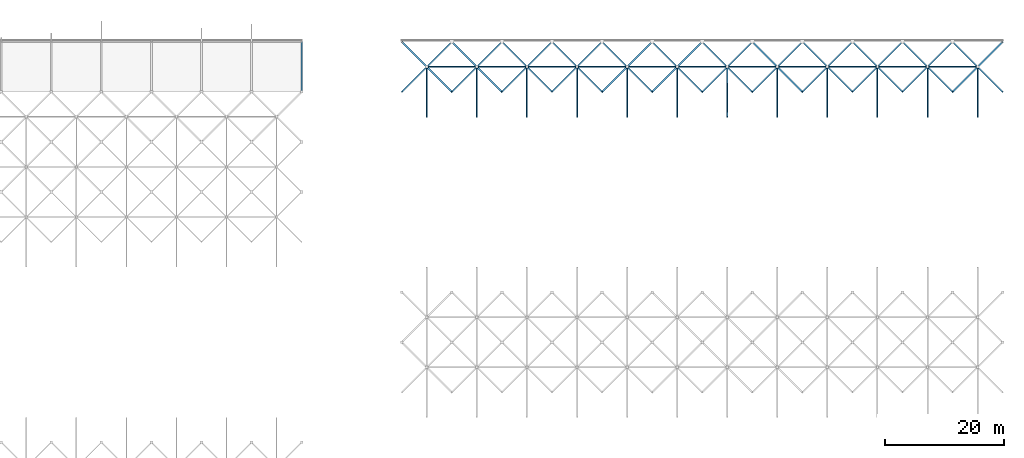
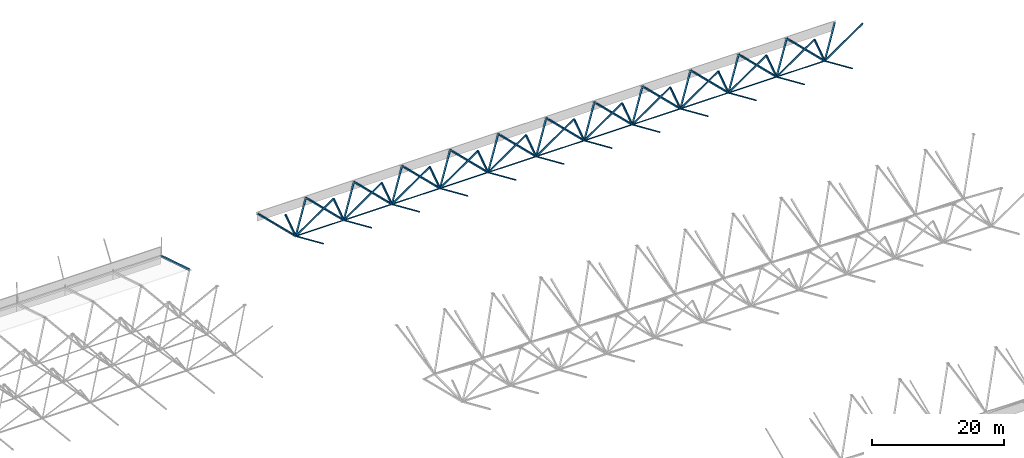
# One storey, part 25 of 85: 72 members.
"""IFC4 building model written with IfcOpenShell, lengths in metres."""

from ifc_helpers import new_model, si_unit, direction, frame, origin, origin_2d, place, context, subcontext, project, spatial, hollow_rectangle, extrude, material, material_profile, profile_set, type_object, element, save


model = new_model("IFC4")

# Units and contexts
model_context = context("Model", 3, precision=1e-05, world=origin(), true_north=direction((0.0, 1.0)))
body_context = subcontext(model_context, "Body", "Model", "MODEL_VIEW")
ifc_project = project(units=[si_unit("LENGTHUNIT", "METRE"), si_unit("AREAUNIT", "SQUARE_METRE"), si_unit("VOLUMEUNIT", "CUBIC_METRE"), si_unit("PLANEANGLEUNIT", "RADIAN"), si_unit("MASSUNIT", "GRAM", prefix="KILO")], contexts=[model_context])

# Site, building, storey
site_placement = place(None, origin())
site = spatial("IfcSite", under=ifc_project, at=site_placement, CompositionType="ELEMENT")
building_placement = place(site_placement, origin())
building = spatial("IfcBuilding", under=site, at=building_placement, Name="Rain Tree Exposition and Congress Centre", CompositionType="ELEMENT")
storey_placement = place(building_placement, frame((0.0, 0.0, 15.0)))
storey = spatial("IfcBuildingStorey", under=building, at=storey_placement, Name="L03", CompositionType="ELEMENT", Elevation=15.0)

# Members
ifc_material_1 = material(Name="Steel S355J2H", Category="steel")
ifc_material_profile_1 = material_profile(ifc_material_1, hollow_rectangle(XDim=0.25, YDim=0.25, WallThickness=0.006103515625, at=origin_2d()), Name="RHS 250x250x6")
ifc_profile_set_1 = profile_set([ifc_material_profile_1], Name="Steel S355J2H")
member_type_1 = type_object("IfcMemberType", Name="Steel brace member RHS 250x250x6", PredefinedType="BRACE", material=ifc_profile_set_1)
for number, where, z_axis, x_axis, name in (
    (1, (147.0, 197.39990234375, 1.77294921875), (-0.422505540408, -0.422505540408, 0.801859175073), (0.707106781187, -0.707106781187, 0.0), "Diagonal 1094"),
    (2, (147.0, 197.39990234375, 1.77294921875), (0.422505540408, -0.422505540408, 0.801859175073), (0.707106781187, 0.707106781187, 0.0), "Diagonal 1095"),
):
    element("IfcMember", number, at=place(storey_placement, frame(where, z_axis=z_axis, x_axis=x_axis)), inside=storey, type_object=member_type_1, Name=name, PredefinedType="BRACE", context=body_context, shape_type="SweptSolid", body=[
        extrude(hollow_rectangle(XDim=0.25, YDim=0.25, WallThickness=0.006103515625, at=origin_2d()), origin(), (0.0, 0.0, 1.0), 9.940673828125),
    ])
for number, where, z_axis, x_axis, name in (
    (3, (147.0, 197.39990234375, 1.77294921875), (-0.62783766654, 0.627874162364, 0.459993370288), (-0.707127332136, -0.70708622964, 0.0), "Diagonal 1096"),
    (4, (147.0, 197.39990234375, 1.77294921875), (0.62783766654, 0.627874162364, 0.459993370288), (-0.707127332136, 0.70708622964, 0.0), "Diagonal 1097"),
):
    element("IfcMember", number, at=place(storey_placement, frame(where, z_axis=z_axis, x_axis=x_axis)), inside=storey, type_object=member_type_1, Name=name, PredefinedType="BRACE", context=body_context, shape_type="SweptSolid", body=[
        extrude(hollow_rectangle(XDim=0.25, YDim=0.25, WallThickness=0.006103515625, at=origin_2d()), origin(), (0.0, 0.0, 1.0), 6.689453125),
    ])
for number, where, z_axis, x_axis, name in (
    (5, (155.39990234375, 197.39990234375, 1.77294921875), (-0.422505540408, -0.422505540408, 0.801859175073), (0.707106781187, -0.707106781187, 0.0), "Diagonal 1099"),
    (6, (155.39990234375, 197.39990234375, 1.77294921875), (0.422525715859, -0.422501156122, 0.801850854283), (0.70708622964, 0.707127332136, 0.0), "Diagonal 1100"),
):
    element("IfcMember", number, at=place(storey_placement, frame(where, z_axis=z_axis, x_axis=x_axis)), inside=storey, type_object=member_type_1, Name=name, PredefinedType="BRACE", context=body_context, shape_type="SweptSolid", body=[
        extrude(hollow_rectangle(XDim=0.25, YDim=0.25, WallThickness=0.006103515625, at=origin_2d()), origin(), (0.0, 0.0, 1.0), 9.940673828125),
    ])
member_1_placement = place(storey_placement, frame((155.39990234375, 197.39990234375, 1.77294921875), z_axis=(-0.62783766654, 0.627874162364, 0.459993370288), x_axis=(-0.707127332136, -0.70708622964, 0.0)))
element("IfcMember", 7, at=member_1_placement, inside=storey, type_object=member_type_1, Name="Diagonal 1101", PredefinedType="BRACE", context=body_context, shape_type="SweptSolid", body=[
    extrude(hollow_rectangle(XDim=0.25, YDim=0.25, WallThickness=0.006103515625, at=origin_2d()), origin(), (0.0, 0.0, 1.0), 6.689453125),
])
member_2_placement = place(storey_placement, frame((155.39990234375, 197.39990234375, 1.77294921875), z_axis=(0.627859775675, 0.627859775675, 0.459982830308), x_axis=(-0.707106781187, 0.707106781187, 0.0)))
element("IfcMember", 8, at=member_2_placement, inside=storey, type_object=member_type_1, Name="Diagonal 1102", PredefinedType="BRACE", context=body_context, shape_type="SweptSolid", body=[
    extrude(hollow_rectangle(XDim=0.25, YDim=0.25, WallThickness=0.006103515625, at=origin_2d()), origin(), (0.0, 0.0, 1.0), 6.689697265625),
])
for number, where, z_axis, x_axis, name in (
    (9, (163.800048828125, 197.39990234375, 1.77294921875), (-0.422505540408, -0.422505540408, 0.801859175073), (0.707106781187, -0.707106781187, 0.0), "Diagonal 1104"),
    (10, (163.800048828125, 197.39990234375, 1.77294921875), (0.422505540408, -0.422505540408, 0.801859175073), (0.707106781187, 0.707106781187, 0.0), "Diagonal 1105"),
):
    element("IfcMember", number, at=place(storey_placement, frame(where, z_axis=z_axis, x_axis=x_axis)), inside=storey, type_object=member_type_1, Name=name, PredefinedType="BRACE", context=body_context, shape_type="SweptSolid", body=[
        extrude(hollow_rectangle(XDim=0.25, YDim=0.25, WallThickness=0.006103515625, at=origin_2d()), origin(), (0.0, 0.0, 1.0), 9.940673828125),
    ])
for number, where, z_axis, x_axis, name in (
    (11, (163.800048828125, 197.39990234375, 1.77294921875), (-0.62783766654, 0.627874162364, 0.459993370288), (-0.707127332136, -0.70708622964, 0.0), "Diagonal 1106"),
    (12, (163.800048828125, 197.39990234375, 1.77294921875), (0.62783766654, 0.627874162364, 0.459993370288), (-0.707127332136, 0.70708622964, 0.0), "Diagonal 1107"),
):
    element("IfcMember", number, at=place(storey_placement, frame(where, z_axis=z_axis, x_axis=x_axis)), inside=storey, type_object=member_type_1, Name=name, PredefinedType="BRACE", context=body_context, shape_type="SweptSolid", body=[
        extrude(hollow_rectangle(XDim=0.25, YDim=0.25, WallThickness=0.006103515625, at=origin_2d()), origin(), (0.0, 0.0, 1.0), 6.689453125),
    ])
for number, where, z_axis, x_axis, name in (
    (13, (172.199951171875, 197.39990234375, 1.77294921875), (-0.422505540408, -0.422505540408, 0.801859175073), (0.707106781187, -0.707106781187, 0.0), "Diagonal 1109"),
    (14, (172.199951171875, 197.39990234375, 1.77294921875), (0.422505540408, -0.422505540408, 0.801859175073), (0.707106781187, 0.707106781187, 0.0), "Diagonal 1110"),
):
    element("IfcMember", number, at=place(storey_placement, frame(where, z_axis=z_axis, x_axis=x_axis)), inside=storey, type_object=member_type_1, Name=name, PredefinedType="BRACE", context=body_context, shape_type="SweptSolid", body=[
        extrude(hollow_rectangle(XDim=0.25, YDim=0.25, WallThickness=0.006103515625, at=origin_2d()), origin(), (0.0, 0.0, 1.0), 9.940673828125),
    ])
for number, where, z_axis, x_axis, name in (
    (15, (172.199951171875, 197.39990234375, 1.77294921875), (-0.62783766654, 0.627874162364, 0.459993370288), (-0.707127332136, -0.70708622964, 0.0), "Diagonal 1111"),
    (16, (172.199951171875, 197.39990234375, 1.77294921875), (0.62783766654, 0.627874162364, 0.459993370288), (-0.707127332136, 0.70708622964, 0.0), "Diagonal 1112"),
):
    element("IfcMember", number, at=place(storey_placement, frame(where, z_axis=z_axis, x_axis=x_axis)), inside=storey, type_object=member_type_1, Name=name, PredefinedType="BRACE", context=body_context, shape_type="SweptSolid", body=[
        extrude(hollow_rectangle(XDim=0.25, YDim=0.25, WallThickness=0.006103515625, at=origin_2d()), origin(), (0.0, 0.0, 1.0), 6.689453125),
    ])
for number, where, z_axis, x_axis, name in (
    (17, (180.60009765625, 197.39990234375, 1.77294921875), (-0.422525715859, -0.422501156122, 0.801850854283), (0.70708622964, -0.707127332136, 0.0), "Diagonal 1114"),
    (18, (180.60009765625, 197.39990234375, 1.77294921875), (0.422505540408, -0.422505540408, 0.801859175073), (0.707106781187, 0.707106781187, 0.0), "Diagonal 1115"),
):
    element("IfcMember", number, at=place(storey_placement, frame(where, z_axis=z_axis, x_axis=x_axis)), inside=storey, type_object=member_type_1, Name=name, PredefinedType="BRACE", context=body_context, shape_type="SweptSolid", body=[
        extrude(hollow_rectangle(XDim=0.25, YDim=0.25, WallThickness=0.006103515625, at=origin_2d()), origin(), (0.0, 0.0, 1.0), 9.940673828125),
    ])
member_3_placement = place(storey_placement, frame((180.60009765625, 197.39990234375, 1.77294921875), z_axis=(-0.627859775675, 0.627859775675, 0.459982830308), x_axis=(-0.707106781187, -0.707106781187, 0.0)))
element("IfcMember", 19, at=member_3_placement, inside=storey, type_object=member_type_1, Name="Diagonal 1116", PredefinedType="BRACE", context=body_context, shape_type="SweptSolid", body=[
    extrude(hollow_rectangle(XDim=0.25, YDim=0.25, WallThickness=0.006103515625, at=origin_2d()), origin(), (0.0, 0.0, 1.0), 6.689697265625),
])
member_4_placement = place(storey_placement, frame((180.60009765625, 197.39990234375, 1.77294921875), z_axis=(0.62783766654, 0.627874162364, 0.459993370288), x_axis=(-0.707127332136, 0.70708622964, 0.0)))
element("IfcMember", 20, at=member_4_placement, inside=storey, type_object=member_type_1, Name="Diagonal 1117", PredefinedType="BRACE", context=body_context, shape_type="SweptSolid", body=[
    extrude(hollow_rectangle(XDim=0.25, YDim=0.25, WallThickness=0.006103515625, at=origin_2d()), origin(), (0.0, 0.0, 1.0), 6.689453125),
])
for number, where, z_axis, x_axis, name in (
    (21, (189.0, 197.39990234375, 1.77294921875), (-0.422505540408, -0.422505540408, 0.801859175073), (0.707106781187, -0.707106781187, 0.0), "Diagonal 1119"),
    (22, (189.0, 197.39990234375, 1.77294921875), (0.422505540408, -0.422505540408, 0.801859175073), (0.707106781187, 0.707106781187, 0.0), "Diagonal 1120"),
):
    element("IfcMember", number, at=place(storey_placement, frame(where, z_axis=z_axis, x_axis=x_axis)), inside=storey, type_object=member_type_1, Name=name, PredefinedType="BRACE", context=body_context, shape_type="SweptSolid", body=[
        extrude(hollow_rectangle(XDim=0.25, YDim=0.25, WallThickness=0.006103515625, at=origin_2d()), origin(), (0.0, 0.0, 1.0), 9.940673828125),
    ])
for number, where, z_axis, x_axis, name in (
    (23, (189.0, 197.39990234375, 1.77294921875), (-0.62783766654, 0.627874162364, 0.459993370288), (-0.707127332136, -0.70708622964, 0.0), "Diagonal 1121"),
    (24, (189.0, 197.39990234375, 1.77294921875), (0.62783766654, 0.627874162364, 0.459993370288), (-0.707127332136, 0.70708622964, 0.0), "Diagonal 1122"),
):
    element("IfcMember", number, at=place(storey_placement, frame(where, z_axis=z_axis, x_axis=x_axis)), inside=storey, type_object=member_type_1, Name=name, PredefinedType="BRACE", context=body_context, shape_type="SweptSolid", body=[
        extrude(hollow_rectangle(XDim=0.25, YDim=0.25, WallThickness=0.006103515625, at=origin_2d()), origin(), (0.0, 0.0, 1.0), 6.689453125),
    ])
for number, where, z_axis, x_axis, name in (
    (25, (197.39990234375, 197.39990234375, 1.77294921875), (-0.422505540408, -0.422505540408, 0.801859175073), (0.707106781187, -0.707106781187, 0.0), "Diagonal 1124"),
    (26, (197.39990234375, 197.39990234375, 1.77294921875), (0.422525715859, -0.422501156122, 0.801850854283), (0.70708622964, 0.707127332136, 0.0), "Diagonal 1125"),
):
    element("IfcMember", number, at=place(storey_placement, frame(where, z_axis=z_axis, x_axis=x_axis)), inside=storey, type_object=member_type_1, Name=name, PredefinedType="BRACE", context=body_context, shape_type="SweptSolid", body=[
        extrude(hollow_rectangle(XDim=0.25, YDim=0.25, WallThickness=0.006103515625, at=origin_2d()), origin(), (0.0, 0.0, 1.0), 9.940673828125),
    ])
member_5_placement = place(storey_placement, frame((197.39990234375, 197.39990234375, 1.77294921875), z_axis=(-0.62783766654, 0.627874162364, 0.459993370288), x_axis=(-0.707127332136, -0.70708622964, 0.0)))
element("IfcMember", 27, at=member_5_placement, inside=storey, type_object=member_type_1, Name="Diagonal 1126", PredefinedType="BRACE", context=body_context, shape_type="SweptSolid", body=[
    extrude(hollow_rectangle(XDim=0.25, YDim=0.25, WallThickness=0.006103515625, at=origin_2d()), origin(), (0.0, 0.0, 1.0), 6.689453125),
])
member_6_placement = place(storey_placement, frame((197.39990234375, 197.39990234375, 1.77294921875), z_axis=(0.627859775675, 0.627859775675, 0.459982830308), x_axis=(-0.707106781187, 0.707106781187, 0.0)))
element("IfcMember", 28, at=member_6_placement, inside=storey, type_object=member_type_1, Name="Diagonal 1127", PredefinedType="BRACE", context=body_context, shape_type="SweptSolid", body=[
    extrude(hollow_rectangle(XDim=0.25, YDim=0.25, WallThickness=0.006103515625, at=origin_2d()), origin(), (0.0, 0.0, 1.0), 6.689697265625),
])
for number, where, z_axis, x_axis, name in (
    (29, (205.800048828125, 197.39990234375, 1.77294921875), (-0.422505540408, -0.422505540408, 0.801859175073), (0.707106781187, -0.707106781187, 0.0), "Diagonal 1129"),
    (30, (205.800048828125, 197.39990234375, 1.77294921875), (0.422505540408, -0.422505540408, 0.801859175073), (0.707106781187, 0.707106781187, 0.0), "Diagonal 1130"),
):
    element("IfcMember", number, at=place(storey_placement, frame(where, z_axis=z_axis, x_axis=x_axis)), inside=storey, type_object=member_type_1, Name=name, PredefinedType="BRACE", context=body_context, shape_type="SweptSolid", body=[
        extrude(hollow_rectangle(XDim=0.25, YDim=0.25, WallThickness=0.006103515625, at=origin_2d()), origin(), (0.0, 0.0, 1.0), 9.940673828125),
    ])
for number, where, z_axis, x_axis, name in (
    (31, (205.800048828125, 197.39990234375, 1.77294921875), (-0.62783766654, 0.627874162364, 0.459993370288), (-0.707127332136, -0.70708622964, 0.0), "Diagonal 1131"),
    (32, (205.800048828125, 197.39990234375, 1.77294921875), (0.62783766654, 0.627874162364, 0.459993370288), (-0.707127332136, 0.70708622964, 0.0), "Diagonal 1132"),
):
    element("IfcMember", number, at=place(storey_placement, frame(where, z_axis=z_axis, x_axis=x_axis)), inside=storey, type_object=member_type_1, Name=name, PredefinedType="BRACE", context=body_context, shape_type="SweptSolid", body=[
        extrude(hollow_rectangle(XDim=0.25, YDim=0.25, WallThickness=0.006103515625, at=origin_2d()), origin(), (0.0, 0.0, 1.0), 6.689453125),
    ])
for number, where, z_axis, x_axis, name in (
    (33, (214.199951171875, 197.39990234375, 1.77294921875), (-0.422505540408, -0.422505540408, 0.801859175073), (0.707106781187, -0.707106781187, 0.0), "Diagonal 1134"),
    (34, (214.199951171875, 197.39990234375, 1.77294921875), (0.422505540408, -0.422505540408, 0.801859175073), (0.707106781187, 0.707106781187, 0.0), "Diagonal 1135"),
):
    element("IfcMember", number, at=place(storey_placement, frame(where, z_axis=z_axis, x_axis=x_axis)), inside=storey, type_object=member_type_1, Name=name, PredefinedType="BRACE", context=body_context, shape_type="SweptSolid", body=[
        extrude(hollow_rectangle(XDim=0.25, YDim=0.25, WallThickness=0.006103515625, at=origin_2d()), origin(), (0.0, 0.0, 1.0), 9.940673828125),
    ])
for number, where, z_axis, x_axis, name in (
    (35, (214.199951171875, 197.39990234375, 1.77294921875), (-0.62783766654, 0.627874162364, 0.459993370288), (-0.707127332136, -0.70708622964, 0.0), "Diagonal 1136"),
    (36, (214.199951171875, 197.39990234375, 1.77294921875), (0.62783766654, 0.627874162364, 0.459993370288), (-0.707127332136, 0.70708622964, 0.0), "Diagonal 1137"),
):
    element("IfcMember", number, at=place(storey_placement, frame(where, z_axis=z_axis, x_axis=x_axis)), inside=storey, type_object=member_type_1, Name=name, PredefinedType="BRACE", context=body_context, shape_type="SweptSolid", body=[
        extrude(hollow_rectangle(XDim=0.25, YDim=0.25, WallThickness=0.006103515625, at=origin_2d()), origin(), (0.0, 0.0, 1.0), 6.689453125),
    ])
for number, where, z_axis, x_axis, name in (
    (37, (222.60009765625, 197.39990234375, 1.77294921875), (-0.422525715859, -0.422501156122, 0.801850854283), (0.70708622964, -0.707127332136, 0.0), "Diagonal 1139"),
    (38, (222.60009765625, 197.39990234375, 1.77294921875), (0.422505540408, -0.422505540408, 0.801859175073), (0.707106781187, 0.707106781187, 0.0), "Diagonal 1140"),
):
    element("IfcMember", number, at=place(storey_placement, frame(where, z_axis=z_axis, x_axis=x_axis)), inside=storey, type_object=member_type_1, Name=name, PredefinedType="BRACE", context=body_context, shape_type="SweptSolid", body=[
        extrude(hollow_rectangle(XDim=0.25, YDim=0.25, WallThickness=0.006103515625, at=origin_2d()), origin(), (0.0, 0.0, 1.0), 9.940673828125),
    ])
member_7_placement = place(storey_placement, frame((222.60009765625, 197.39990234375, 1.77294921875), z_axis=(-0.627859775675, 0.627859775675, 0.459982830308), x_axis=(-0.707106781187, -0.707106781187, 0.0)))
element("IfcMember", 39, at=member_7_placement, inside=storey, type_object=member_type_1, Name="Diagonal 1141", PredefinedType="BRACE", context=body_context, shape_type="SweptSolid", body=[
    extrude(hollow_rectangle(XDim=0.25, YDim=0.25, WallThickness=0.006103515625, at=origin_2d()), origin(), (0.0, 0.0, 1.0), 6.689697265625),
])
member_8_placement = place(storey_placement, frame((222.60009765625, 197.39990234375, 1.77294921875), z_axis=(0.62783766654, 0.627874162364, 0.459993370288), x_axis=(-0.707127332136, 0.70708622964, 0.0)))
element("IfcMember", 40, at=member_8_placement, inside=storey, type_object=member_type_1, Name="Diagonal 1142", PredefinedType="BRACE", context=body_context, shape_type="SweptSolid", body=[
    extrude(hollow_rectangle(XDim=0.25, YDim=0.25, WallThickness=0.006103515625, at=origin_2d()), origin(), (0.0, 0.0, 1.0), 6.689453125),
])
for number, where, z_axis, x_axis, name in (
    (41, (231.0, 197.39990234375, 1.77294921875), (-0.422505540408, -0.422505540408, 0.801859175073), (0.707106781187, -0.707106781187, 0.0), "Diagonal 1144"),
    (42, (231.0, 197.39990234375, 1.77294921875), (0.422505540408, -0.422505540408, 0.801859175073), (0.707106781187, 0.707106781187, 0.0), "Diagonal 1145"),
):
    element("IfcMember", number, at=place(storey_placement, frame(where, z_axis=z_axis, x_axis=x_axis)), inside=storey, type_object=member_type_1, Name=name, PredefinedType="BRACE", context=body_context, shape_type="SweptSolid", body=[
        extrude(hollow_rectangle(XDim=0.25, YDim=0.25, WallThickness=0.006103515625, at=origin_2d()), origin(), (0.0, 0.0, 1.0), 9.940673828125),
    ])
for number, where, z_axis, x_axis, name in (
    (43, (231.0, 197.39990234375, 1.77294921875), (-0.62783766654, 0.627874162364, 0.459993370288), (-0.707127332136, -0.70708622964, 0.0), "Diagonal 1146"),
    (44, (231.0, 197.39990234375, 1.77294921875), (0.62783766654, 0.627874162364, 0.459993370288), (-0.707127332136, 0.70708622964, 0.0), "Diagonal 1147"),
):
    element("IfcMember", number, at=place(storey_placement, frame(where, z_axis=z_axis, x_axis=x_axis)), inside=storey, type_object=member_type_1, Name=name, PredefinedType="BRACE", context=body_context, shape_type="SweptSolid", body=[
        extrude(hollow_rectangle(XDim=0.25, YDim=0.25, WallThickness=0.006103515625, at=origin_2d()), origin(), (0.0, 0.0, 1.0), 6.689453125),
    ])
for number, where, z_axis, x_axis, name in (
    (45, (239.39990234375, 197.39990234375, 1.77294921875), (-0.422505540408, -0.422505540408, 0.801859175073), (0.707106781187, -0.707106781187, 0.0), "Diagonal 1149"),
    (46, (239.39990234375, 197.39990234375, 1.77294921875), (0.422525715859, -0.422501156122, 0.801850854283), (0.70708622964, 0.707127332136, 0.0), "Diagonal 1150"),
):
    element("IfcMember", number, at=place(storey_placement, frame(where, z_axis=z_axis, x_axis=x_axis)), inside=storey, type_object=member_type_1, Name=name, PredefinedType="BRACE", context=body_context, shape_type="SweptSolid", body=[
        extrude(hollow_rectangle(XDim=0.25, YDim=0.25, WallThickness=0.006103515625, at=origin_2d()), origin(), (0.0, 0.0, 1.0), 9.940673828125),
    ])
member_9_placement = place(storey_placement, frame((239.39990234375, 197.39990234375, 1.77294921875), z_axis=(-0.62783766654, 0.627874162364, 0.459993370288), x_axis=(-0.707127332136, -0.70708622964, 0.0)))
element("IfcMember", 47, at=member_9_placement, inside=storey, type_object=member_type_1, Name="Diagonal 1151", PredefinedType="BRACE", context=body_context, shape_type="SweptSolid", body=[
    extrude(hollow_rectangle(XDim=0.25, YDim=0.25, WallThickness=0.006103515625, at=origin_2d()), origin(), (0.0, 0.0, 1.0), 6.689453125),
])
member_10_placement = place(storey_placement, frame((239.39990234375, 197.39990234375, 1.77294921875), z_axis=(0.627859775675, 0.627859775675, 0.459982830308), x_axis=(-0.707106781187, 0.707106781187, 0.0)))
element("IfcMember", 48, at=member_10_placement, inside=storey, type_object=member_type_1, Name="Diagonal 1152", PredefinedType="BRACE", context=body_context, shape_type="SweptSolid", body=[
    extrude(hollow_rectangle(XDim=0.25, YDim=0.25, WallThickness=0.006103515625, at=origin_2d()), origin(), (0.0, 0.0, 1.0), 6.689697265625),
])
ifc_material_2 = material(Name="Steel S355J2H", Category="steel")
ifc_material_profile_2 = material_profile(ifc_material_2, hollow_rectangle(XDim=0.14990234375, YDim=0.14990234375, WallThickness=0.00439453125, at=origin_2d()), Name="RHS 150x150x4.5")
ifc_profile_set_2 = profile_set([ifc_material_profile_2], Name="Steel S355J2H")
member_type_2 = type_object("IfcMemberType", Name="Steel chord member RHS 150x150x4.5", PredefinedType="CHORD", material=ifc_profile_set_2)
member_11_placement = place(storey_placement, frame((147.0, 197.39990234375, 1.77294921875), z_axis=(1.0, 0.0, 0.0), x_axis=(0.0, 1.0, 0.0)))
element("IfcMember", 49, at=member_11_placement, inside=storey, type_object=member_type_2, Name="Bottom chord 1098", PredefinedType="CHORD", context=body_context, shape_type="SweptSolid", body=[
    extrude(hollow_rectangle(XDim=0.14990234375, YDim=0.14990234375, WallThickness=0.00439453125, at=origin_2d()), origin(), (0.0, 0.0, 1.0), 8.39990234375),
])
member_12_placement = place(storey_placement, frame((155.39990234375, 197.39990234375, 1.77294921875), z_axis=(1.0, 0.0, 0.0), x_axis=(0.0, 1.0, 0.0)))
element("IfcMember", 50, at=member_12_placement, inside=storey, type_object=member_type_2, Name="Bottom chord 1103", PredefinedType="CHORD", context=body_context, shape_type="SweptSolid", body=[
    extrude(hollow_rectangle(XDim=0.14990234375, YDim=0.14990234375, WallThickness=0.00439453125, at=origin_2d()), origin(), (0.0, 0.0, 1.0), 8.400146484375),
])
member_13_placement = place(storey_placement, frame((163.800048828125, 197.39990234375, 1.77294921875), z_axis=(1.0, 0.0, 0.0), x_axis=(0.0, 1.0, 0.0)))
element("IfcMember", 51, at=member_13_placement, inside=storey, type_object=member_type_2, Name="Bottom chord 1108", PredefinedType="CHORD", context=body_context, shape_type="SweptSolid", body=[
    extrude(hollow_rectangle(XDim=0.14990234375, YDim=0.14990234375, WallThickness=0.00439453125, at=origin_2d()), origin(), (0.0, 0.0, 1.0), 8.39990234375),
])
member_14_placement = place(storey_placement, frame((172.199951171875, 197.39990234375, 1.77294921875), z_axis=(1.0, 0.0, 0.0), x_axis=(0.0, 1.0, 0.0)))
element("IfcMember", 52, at=member_14_placement, inside=storey, type_object=member_type_2, Name="Bottom chord 1113", PredefinedType="CHORD", context=body_context, shape_type="SweptSolid", body=[
    extrude(hollow_rectangle(XDim=0.14990234375, YDim=0.14990234375, WallThickness=0.00439453125, at=origin_2d()), origin(), (0.0, 0.0, 1.0), 8.400146484375),
])
for number, where, z_axis, x_axis, name in (
    (53, (180.60009765625, 197.39990234375, 1.77294921875), (1.0, 0.0, 0.0), (0.0, 1.0, 0.0), "Bottom chord 1118"),
    (54, (189.0, 197.39990234375, 1.77294921875), (1.0, 0.0, 0.0), (0.0, 1.0, 0.0), "Bottom chord 1123"),
):
    element("IfcMember", number, at=place(storey_placement, frame(where, z_axis=z_axis, x_axis=x_axis)), inside=storey, type_object=member_type_2, Name=name, PredefinedType="CHORD", context=body_context, shape_type="SweptSolid", body=[
        extrude(hollow_rectangle(XDim=0.14990234375, YDim=0.14990234375, WallThickness=0.00439453125, at=origin_2d()), origin(), (0.0, 0.0, 1.0), 8.39990234375),
    ])
member_15_placement = place(storey_placement, frame((197.39990234375, 197.39990234375, 1.77294921875), z_axis=(1.0, 0.0, 0.0), x_axis=(0.0, 1.0, 0.0)))
element("IfcMember", 55, at=member_15_placement, inside=storey, type_object=member_type_2, Name="Bottom chord 1128", PredefinedType="CHORD", context=body_context, shape_type="SweptSolid", body=[
    extrude(hollow_rectangle(XDim=0.14990234375, YDim=0.14990234375, WallThickness=0.00439453125, at=origin_2d()), origin(), (0.0, 0.0, 1.0), 8.400146484375),
])
member_16_placement = place(storey_placement, frame((205.800048828125, 197.39990234375, 1.77294921875), z_axis=(1.0, 0.0, 0.0), x_axis=(0.0, 1.0, 0.0)))
element("IfcMember", 56, at=member_16_placement, inside=storey, type_object=member_type_2, Name="Bottom chord 1133", PredefinedType="CHORD", context=body_context, shape_type="SweptSolid", body=[
    extrude(hollow_rectangle(XDim=0.14990234375, YDim=0.14990234375, WallThickness=0.00439453125, at=origin_2d()), origin(), (0.0, 0.0, 1.0), 8.39990234375),
])
member_17_placement = place(storey_placement, frame((214.199951171875, 197.39990234375, 1.77294921875), z_axis=(1.0, 0.0, 0.0), x_axis=(0.0, 1.0, 0.0)))
element("IfcMember", 57, at=member_17_placement, inside=storey, type_object=member_type_2, Name="Bottom chord 1138", PredefinedType="CHORD", context=body_context, shape_type="SweptSolid", body=[
    extrude(hollow_rectangle(XDim=0.14990234375, YDim=0.14990234375, WallThickness=0.00439453125, at=origin_2d()), origin(), (0.0, 0.0, 1.0), 8.400146484375),
])
for number, where, z_axis, x_axis, name in (
    (58, (222.60009765625, 197.39990234375, 1.77294921875), (1.0, 0.0, 0.0), (0.0, 1.0, 0.0), "Bottom chord 1143"),
    (59, (231.0, 197.39990234375, 1.77294921875), (1.0, 0.0, 0.0), (0.0, 1.0, 0.0), "Bottom chord 1148"),
):
    element("IfcMember", number, at=place(storey_placement, frame(where, z_axis=z_axis, x_axis=x_axis)), inside=storey, type_object=member_type_2, Name=name, PredefinedType="CHORD", context=body_context, shape_type="SweptSolid", body=[
        extrude(hollow_rectangle(XDim=0.14990234375, YDim=0.14990234375, WallThickness=0.00439453125, at=origin_2d()), origin(), (0.0, 0.0, 1.0), 8.39990234375),
    ])
ifc_material_3 = material(Name="Steel S355J2H", Category="steel")
ifc_material_profile_3 = material_profile(ifc_material_3, hollow_rectangle(XDim=0.175048828125, YDim=0.175048828125, WallThickness=0.006103515625, at=origin_2d()), Name="RHS 175x175x6")
ifc_profile_set_3 = profile_set([ifc_material_profile_3], Name="Steel S355J2H")
member_type_3 = type_object("IfcMemberType", Name="Steel chord member RHS 175x175x6", PredefinedType="CHORD", material=ifc_profile_set_3)
for number, where, z_axis, x_axis, name in (
    (60, (147.0, 189.0, 5.465087890625), (0.0, 0.915468371114, -0.402389937114), (-1.0, 0.0, 0.0), "Bottom chord 1028"),
    (61, (155.39990234375, 189.0, 5.465087890625), (0.0, 0.915468371114, -0.402389937114), (-1.0, 0.0, 0.0), "Bottom chord 1034"),
    (62, (163.800048828125, 189.0, 5.465087890625), (0.0, 0.915468371114, -0.402389937114), (-1.0, 0.0, 0.0), "Bottom chord 1040"),
    (63, (172.199951171875, 189.0, 5.465087890625), (0.0, 0.915468371114, -0.402389937114), (-1.0, 0.0, 0.0), "Bottom chord 1046"),
    (64, (180.60009765625, 189.0, 5.465087890625), (0.0, 0.915468371114, -0.402389937114), (-1.0, 0.0, 0.0), "Bottom chord 1052"),
    (65, (189.0, 189.0, 5.465087890625), (0.0, 0.915468371114, -0.402389937114), (-1.0, 0.0, 0.0), "Bottom chord 1058"),
    (66, (197.39990234375, 189.0, 5.465087890625), (0.0, 0.915468371114, -0.402389937114), (-1.0, 0.0, 0.0), "Bottom chord 1064"),
    (67, (205.800048828125, 189.0, 5.465087890625), (0.0, 0.915468371114, -0.402389937114), (-1.0, 0.0, 0.0), "Bottom chord 1070"),
    (68, (214.199951171875, 189.0, 5.465087890625), (0.0, 0.915468371114, -0.402389937114), (-1.0, 0.0, 0.0), "Bottom chord 1076"),
    (69, (222.60009765625, 189.0, 5.465087890625), (0.0, 0.915468371114, -0.402389937114), (-1.0, 0.0, 0.0), "Bottom chord 1082"),
    (70, (231.0, 189.0, 5.465087890625), (0.0, 0.915468371114, -0.402389937114), (-1.0, 0.0, 0.0), "Bottom chord 1088"),
    (71, (239.39990234375, 189.0, 5.465087890625), (0.0, 0.915468371114, -0.402389937114), (-1.0, 0.0, 0.0), "Bottom chord 1093"),
):
    element("IfcMember", number, at=place(storey_placement, frame(where, z_axis=z_axis, x_axis=x_axis)), inside=storey, type_object=member_type_3, Name=name, PredefinedType="CHORD", context=body_context, shape_type="SweptSolid", body=[
        extrude(hollow_rectangle(XDim=0.175048828125, YDim=0.175048828125, WallThickness=0.006103515625, at=origin_2d()), origin(), (0.0, 0.0, 1.0), 9.175537109375),
    ])
ifc_material_4 = material(Name="Steel S355J2H", Category="steel")
ifc_material_profile_4 = material_profile(ifc_material_4, hollow_rectangle(XDim=0.300048828125, YDim=0.300048828125, WallThickness=0.009033203125, at=origin_2d()), Name="RHS 300x300x9")
ifc_profile_set_4 = profile_set([ifc_material_profile_4], Name="Steel S355J2H")
member_type_4 = type_object("IfcMemberType", Name="Steel chord member RHS 300x300x9", PredefinedType="CHORD", material=ifc_profile_set_4)
member_18_placement = place(storey_placement, frame((126.0, 193.199951171875, 5.466796875), z_axis=(0.0, 0.954749667557, -0.297410612285), x_axis=(-1.0, 0.0, 0.0)))
element("IfcMember", 72, at=member_18_placement, inside=storey, type_object=member_type_4, Name="Top chord 362", PredefinedType="CHORD", context=body_context, shape_type="SweptSolid", body=[
    extrude(hollow_rectangle(XDim=0.300048828125, YDim=0.300048828125, WallThickness=0.009033203125, at=origin_2d()), origin(), (0.0, 0.0, 1.0), 8.79833984375),
])

save(model, "model.ifc")
